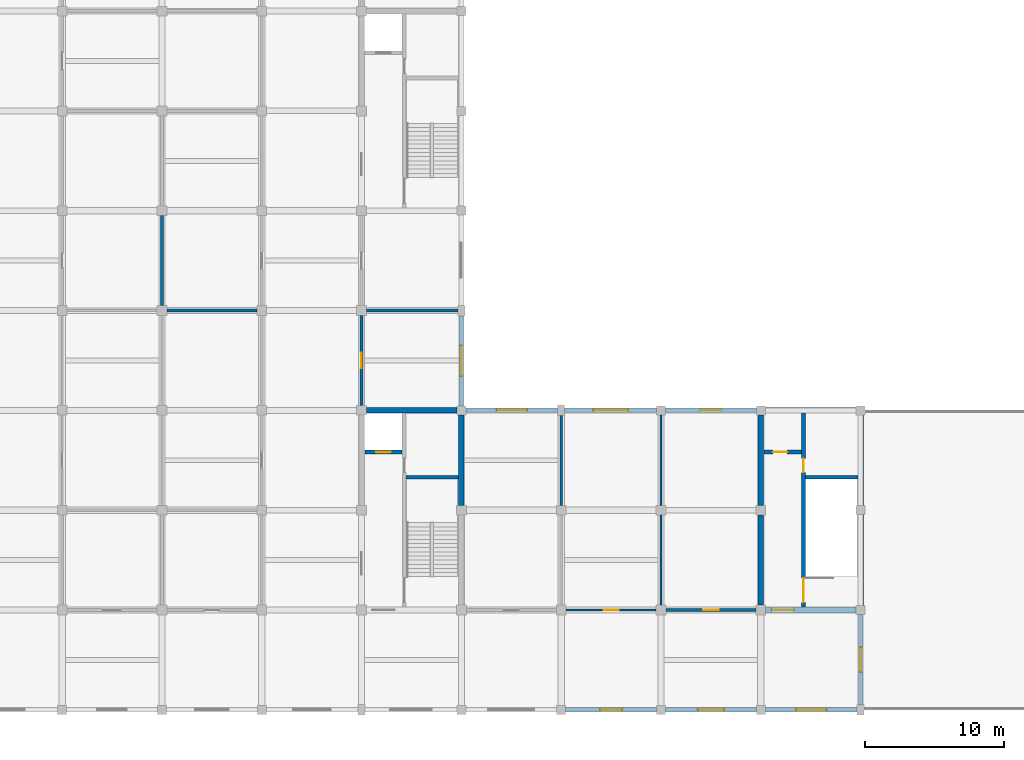
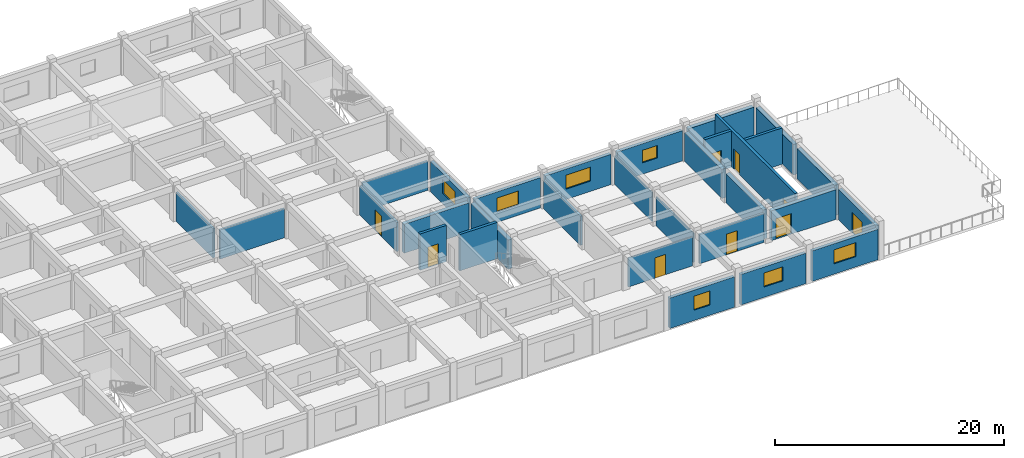
# One storey, part 7 of 10: 30 walls, 9 doors, 7 windows, 16 openings.
"""IFC4 building model written with IfcOpenShell, lengths in metres."""

from ifc_helpers import new_model, si_unit, direction, frame, frame_2d, origin, place, context, subcontext, project, spatial, rectangle, extrude, material, layer, layer_set, type_object, element, fill, save


model = new_model("IFC4")

# Units and contexts
model_context = context("Model", 3, precision=1e-05, world=origin(), true_north=direction((0.0, 1.0)))
body_context = subcontext(model_context, "Body", "Model", "MODEL_VIEW")
ifc_project = project(units=[si_unit("LENGTHUNIT", "METRE"), si_unit("AREAUNIT", "SQUARE_METRE"), si_unit("VOLUMEUNIT", "CUBIC_METRE"), si_unit("PLANEANGLEUNIT", "RADIAN"), si_unit("MASSUNIT", "GRAM", prefix="KILO")], contexts=[model_context])

# Site, building, storey
site_placement = place(None, origin())
site = spatial("IfcSite", under=ifc_project, at=site_placement, CompositionType="ELEMENT")
building_placement = place(site_placement, origin())
building = spatial("IfcBuilding", under=site, at=building_placement, Name="Cendaluz Park School", CompositionType="ELEMENT")
storey_placement = place(building_placement, frame((0.0, 0.0, 30.60009765625)))
storey = spatial("IfcBuildingStorey", under=building, at=storey_placement, Name="L07", CompositionType="ELEMENT", Elevation=30.60009765625)

# Wall
ifc_material_1 = material(Name="Gypsum Plasterboard on Cold-Formed Stud", Category="gypsum")
ifc_layer_1 = layer(ifc_material_1, 0.199951171875)
ifc_layer_set_1 = layer_set([ifc_layer_1], Name="Gypsum Plasterboard on Cold-Formed Stud")
wall_type_1 = type_object("IfcWallType", Name="W-AC20", PredefinedType="PARTITIONING", material=ifc_layer_set_1)
wall_1_placement = place(storey_placement, frame((115.199951171875, 21.949951171875, 0.0), z_axis=(0.0, 0.0, 1.0), x_axis=(0.0, 1.0, 0.0)))
element("IfcWall", 1, at=wall_1_placement, inside=storey, type_object=wall_type_1, Name="WL-FH-BO5", PredefinedType="PARTITIONING", context=body_context, shape_type="SweptSolid", body=[
    extrude(rectangle(XDim=6.47509765625, YDim=0.199951171875, at=frame_2d((3.237548828125, 0.0))), origin(), (0.0, 0.0, 1.0), 3.10986328125),
])

# Wall, opening, door
wall_2_placement = place(storey_placement, frame((122.75, 14.39990234375, 0.0), z_axis=(0.0, 0.0, 1.0), x_axis=(1.0, 0.0, 0.0)))
wall_2 = element("IfcWall", 2, at=wall_2_placement, inside=storey, type_object=wall_type_1, Name="WL-FH-BO9", PredefinedType="PARTITIONING", context=body_context, shape_type="SweptSolid", body=[
    extrude(rectangle(XDim=6.5, YDim=0.199951171875, at=frame_2d((3.25, 0.0))), origin(), (0.0, 0.0, 1.0), 3.10986328125),
])
opening_1_placement = place(wall_2_placement, frame((2.68994140625, 0.0, 0.0)))
opening_1 = element("IfcOpeningElement", 3, at=opening_1_placement, cuts=wall_2, Name="Opening DCL-06", PredefinedType="OPENING", context=body_context, shape_type="SweptSolid", body=[
    extrude(rectangle(XDim=1.1201171875, YDim=2.199951171875, at=frame_2d((0.56005859375, 1.10009765625))), frame((0.0, 0.112060546875, 0.0), z_axis=(0.0, -1.0, 0.0), x_axis=(1.0, 0.0, 0.0)), (0.0, 0.0, 1.0), 0.223876953125),
])
ifc_material_2 = material(Name="Solid Core Hardwood", Category="wood")
door_type_1 = type_object("IfcDoorType", Name="DCL-06", OperationType="NOTDEFINED", PredefinedType="DOOR", material=ifc_material_2)
door_1_placement = place(opening_1_placement, origin())
door_1 = element("IfcDoor", 4, at=door_1_placement, inside=storey, type_object=door_type_1, Name="D-L07-036", OperationType="SINGLE_SWING_LEFT", OverallHeight=2.199951171875, OverallWidth=1.1201171875, PredefinedType="DOOR", context=body_context, shape_type="SweptSolid", body=[
    extrude(rectangle(XDim=1.1201171875, YDim=2.199951171875, at=frame_2d((0.56005859375, 1.10009765625))), frame((0.0, 0.02490234375, 0.0), z_axis=(0.0, -1.0, 0.0), x_axis=(1.0, 0.0, 0.0)), (0.0, 0.0, 1.0), 0.050048828125),
])
fill(opening_1, door_1)

# Walls
for number, where, z_axis, x_axis, name in (
    (5, (86.39990234375, 36.35009765625, 0.0), (0.0, 0.0, 1.0), (0.0, 1.0, 0.0), "WL-FH-BQ4"),
    (6, (86.75, 36.0, 0.0), (0.0, 0.0, 1.0), (1.0, 0.0, 0.0), "WL-FH-BR1"),
):
    element("IfcWall", number, at=place(storey_placement, frame(where, z_axis=z_axis, x_axis=x_axis)), inside=storey, type_object=wall_type_1, Name=name, PredefinedType="PARTITIONING", context=body_context, shape_type="SweptSolid", body=[
        extrude(rectangle(XDim=6.5, YDim=0.199951171875, at=frame_2d((3.25, 0.0))), origin(), (0.0, 0.0, 1.0), 3.10986328125),
    ])
wall_3_placement = place(storey_placement, frame((101.14990234375, 36.0, 0.0), z_axis=(0.0, 0.0, 1.0), x_axis=(1.0, 0.0, 0.0)))
element("IfcWall", 7, at=wall_3_placement, inside=storey, type_object=wall_type_1, Name="WL-FH-BR5", PredefinedType="PARTITIONING", context=body_context, shape_type="SweptSolid", body=[
    extrude(rectangle(XDim=6.60009765625, YDim=0.199951171875, at=frame_2d((3.300048828125, 0.0))), origin(), (0.0, 0.0, 1.0), 3.10986328125),
])

# Wall, opening, door
wall_4_placement = place(storey_placement, frame((100.800048828125, 29.14990234375, 0.0), z_axis=(0.0, 0.0, 1.0), x_axis=(0.0, 1.0, 0.0)))
wall_4 = element("IfcWall", 8, at=wall_4_placement, inside=storey, type_object=wall_type_1, Name="WL-FH-BR6", PredefinedType="PARTITIONING", context=body_context, shape_type="SweptSolid", body=[
    extrude(rectangle(XDim=6.5, YDim=0.199951171875, at=frame_2d((3.25, 0.0))), origin(), (0.0, 0.0, 1.0), 3.10986328125),
])
opening_2_placement = place(wall_4_placement, frame((2.68994140625, 0.0, 0.0)))
opening_2 = element("IfcOpeningElement", 9, at=opening_2_placement, cuts=wall_4, Name="Opening DCL-06", PredefinedType="OPENING", context=body_context, shape_type="SweptSolid", body=[
    extrude(rectangle(XDim=1.1201171875, YDim=2.199951171875, at=frame_2d((0.56005859375, 1.10009765625))), frame((0.0, 0.112060546875, 0.0), z_axis=(0.0, -1.0, 0.0), x_axis=(1.0, 0.0, 0.0)), (0.0, 0.0, 1.0), 0.223876953125),
])
door_2_placement = place(opening_2_placement, frame((1.1201171875, 0.0, 0.0), z_axis=(0.0, 0.0, 1.0), x_axis=(-1.0, 0.0, 0.0)))
door_2 = element("IfcDoor", 10, at=door_2_placement, inside=storey, type_object=door_type_1, Name="D-L07-046", OperationType="SINGLE_SWING_LEFT", OverallHeight=2.199951171875, OverallWidth=1.1201171875, PredefinedType="DOOR", context=body_context, shape_type="SweptSolid", body=[
    extrude(rectangle(XDim=1.1201171875, YDim=2.199951171875, at=frame_2d((0.56005859375, 1.10009765625))), frame((0.0, 0.02490234375, 0.0), z_axis=(0.0, -1.0, 0.0), x_axis=(1.0, 0.0, 0.0)), (0.0, 0.0, 1.0), 0.050048828125),
])
fill(opening_2, door_2)

# Wall, opening, window
ifc_material_3 = material(Name="Concrete C40/50 precast", Category="concrete")
ifc_layer_2 = layer(ifc_material_3, 0.320068359375)
ifc_layer_set_2 = layer_set([ifc_layer_2], Name="Concrete C40/50 precast")
wall_type_2 = type_object("IfcWallType", Name="W-EX32", PredefinedType="SOLIDWALL", material=ifc_layer_set_2)
wall_5_placement = place(storey_placement, frame((108.0, 29.125, 0.0), z_axis=(0.0, 0.0, 1.0), x_axis=(0.0, 1.0, 0.0)))
wall_5 = element("IfcWall", 11, at=wall_5_placement, inside=storey, type_object=wall_type_2, Name="WL-FH-AC2", PredefinedType="SOLIDWALL", context=body_context, shape_type="SweptSolid", body=[
    extrude(rectangle(XDim=6.5, YDim=0.320068359375, at=frame_2d((3.25, 0.0))), origin(), (0.0, 0.0, 1.0), 3.25),
])
opening_3_placement = place(wall_5_placement, frame((2.14990234375, 0.0, 1.10009765625)))
opening_3 = element("IfcOpeningElement", 12, at=opening_3_placement, cuts=wall_5, Name="Opening WN-18", PredefinedType="OPENING", context=body_context, shape_type="SweptSolid", body=[
    extrude(rectangle(XDim=2.199951171875, YDim=1.5, at=frame_2d((1.10009765625, 0.75))), frame((0.0, 0.172119140625, 0.0), z_axis=(0.0, -1.0, 0.0), x_axis=(1.0, 0.0, 0.0)), (0.0, 0.0, 1.0), 0.343994140625),
])
ifc_material_4 = material(Name="Tempered Low-E Double Glazing", Category="glass")
window_type_1 = type_object("IfcWindowType", Name="WN-18", PartitioningType="SINGLE_PANEL", PredefinedType="WINDOW", material=ifc_material_4)
window_1_placement = place(opening_3_placement, origin())
window_1 = element("IfcWindow", 13, at=window_1_placement, inside=storey, type_object=window_type_1, Name="WN-L07-022", OverallHeight=1.5, OverallWidth=2.199951171875, PartitioningType="SINGLE_PANEL", PredefinedType="WINDOW", context=body_context, shape_type="SweptSolid", body=[
    extrude(rectangle(XDim=2.199951171875, YDim=1.5, at=frame_2d((1.10009765625, 0.75))), frame((0.0, 0.030029296875, 0.0), z_axis=(0.0, -1.0, 0.0), x_axis=(1.0, 0.0, 0.0)), (0.0, 0.0, 1.0), 0.06005859375),
])
fill(opening_3, window_1)

wall_6_placement = place(storey_placement, frame((108.324951171875, 28.800048828125, 0.0), z_axis=(0.0, 0.0, 1.0), x_axis=(1.0, 0.0, 0.0)))
wall_6 = element("IfcWall", 14, at=wall_6_placement, inside=storey, type_object=wall_type_2, Name="WL-FH-AC7", PredefinedType="SOLIDWALL", context=body_context, shape_type="SweptSolid", body=[
    extrude(rectangle(XDim=6.625, YDim=0.320068359375, at=frame_2d((3.3125, 0.0))), origin(), (0.0, 0.0, 1.0), 3.25),
])
opening_4_placement = place(wall_6_placement, frame((2.21240234375, 0.0, 1.10009765625)))
opening_4 = element("IfcOpeningElement", 15, at=opening_4_placement, cuts=wall_6, Name="Opening WN-18", PredefinedType="OPENING", context=body_context, shape_type="SweptSolid", body=[
    extrude(rectangle(XDim=2.199951171875, YDim=1.5, at=frame_2d((1.10009765625, 0.75))), frame((0.0, 0.172119140625, 0.0), z_axis=(0.0, -1.0, 0.0), x_axis=(1.0, 0.0, 0.0)), (0.0, 0.0, 1.0), 0.343994140625),
])
window_2_placement = place(opening_4_placement, origin())
window_2 = element("IfcWindow", 16, at=window_2_placement, inside=storey, type_object=window_type_1, Name="WN-L07-027", OverallHeight=1.5, OverallWidth=2.199951171875, PartitioningType="SINGLE_PANEL", PredefinedType="WINDOW", context=body_context, shape_type="SweptSolid", body=[
    extrude(rectangle(XDim=2.199951171875, YDim=1.5, at=frame_2d((1.10009765625, 0.75))), frame((0.0, 0.030029296875, 0.0), z_axis=(0.0, -1.0, 0.0), x_axis=(1.0, 0.0, 0.0)), (0.0, 0.0, 1.0), 0.06005859375),
])
fill(opening_4, window_2)

wall_7_placement = place(storey_placement, frame((115.52490234375, 7.199951171875, 0.0), z_axis=(0.0, 0.0, 1.0), x_axis=(1.0, 0.0, 0.0)))
wall_7 = element("IfcWall", 17, at=wall_7_placement, inside=storey, type_object=wall_type_2, Name="WL-FH-AC8", PredefinedType="SOLIDWALL", context=body_context, shape_type="SweptSolid", body=[
    extrude(rectangle(XDim=6.550048828125, YDim=0.320068359375, at=frame_2d((3.27490234375, 0.0))), origin(), (0.0, 0.0, 1.0), 3.25),
])
opening_5_placement = place(wall_7_placement, frame((2.47509765625, 0.0, 1.10009765625)))
opening_5 = element("IfcOpeningElement", 18, at=opening_5_placement, cuts=wall_7, Name="Opening WN-16", PredefinedType="OPENING", context=body_context, shape_type="SweptSolid", body=[
    extrude(rectangle(XDim=1.60009765625, YDim=1.5, at=frame_2d((0.800048828125, 0.75))), frame((0.0, 0.172119140625, 0.0), z_axis=(0.0, -1.0, 0.0), x_axis=(1.0, 0.0, 0.0)), (0.0, 0.0, 1.0), 0.343994140625),
])
window_type_2 = type_object("IfcWindowType", Name="WN-16", PartitioningType="SINGLE_PANEL", PredefinedType="WINDOW", material=ifc_material_4)
window_3_placement = place(opening_5_placement, origin())
window_3 = element("IfcWindow", 19, at=window_3_placement, inside=storey, type_object=window_type_2, Name="WN-L07-028", OverallHeight=1.5, OverallWidth=1.60009765625, PartitioningType="SINGLE_PANEL", PredefinedType="WINDOW", context=body_context, shape_type="SweptSolid", body=[
    extrude(rectangle(XDim=1.60009765625, YDim=1.5, at=frame_2d((0.800048828125, 0.75))), frame((0.0, 0.030029296875, 0.0), z_axis=(0.0, -1.0, 0.0), x_axis=(1.0, 0.0, 0.0)), (0.0, 0.0, 1.0), 0.06005859375),
])
fill(opening_5, window_3)

wall_8_placement = place(storey_placement, frame((115.449951171875, 28.800048828125, 0.0), z_axis=(0.0, 0.0, 1.0), x_axis=(1.0, 0.0, 0.0)))
wall_8 = element("IfcWall", 20, at=wall_8_placement, inside=storey, type_object=wall_type_2, Name="WL-FH-AC9", PredefinedType="SOLIDWALL", context=body_context, shape_type="SweptSolid", body=[
    extrude(rectangle(XDim=6.625, YDim=0.320068359375, at=frame_2d((3.3125, 0.0))), origin(), (0.0, 0.0, 1.0), 3.25),
])
opening_6_placement = place(wall_8_placement, frame((2.0625, 0.0, 1.10009765625)))
opening_6 = element("IfcOpeningElement", 21, at=opening_6_placement, cuts=wall_8, Name="Opening WN-19", PredefinedType="OPENING", context=body_context, shape_type="SweptSolid", body=[
    extrude(rectangle(XDim=2.5, YDim=1.5, at=frame_2d((1.25, 0.75))), frame((0.0, 0.172119140625, 0.0), z_axis=(0.0, -1.0, 0.0), x_axis=(1.0, 0.0, 0.0)), (0.0, 0.0, 1.0), 0.343994140625),
])
window_type_3 = type_object("IfcWindowType", Name="WN-19", PartitioningType="SINGLE_PANEL", PredefinedType="WINDOW", material=ifc_material_4)
window_4_placement = place(opening_6_placement, origin())
window_4 = element("IfcWindow", 22, at=window_4_placement, inside=storey, type_object=window_type_3, Name="WN-L07-029", OverallHeight=1.5, OverallWidth=2.5, PartitioningType="SINGLE_PANEL", PredefinedType="WINDOW", context=body_context, shape_type="SweptSolid", body=[
    extrude(rectangle(XDim=2.5, YDim=1.5, at=frame_2d((1.25, 0.75))), frame((0.0, 0.030029296875, 0.0), z_axis=(0.0, -1.0, 0.0), x_axis=(1.0, 0.0, 0.0)), (0.0, 0.0, 1.0), 0.06005859375),
])
fill(opening_6, window_4)

wall_9_placement = place(storey_placement, frame((122.72509765625, 7.199951171875, 0.0), z_axis=(0.0, 0.0, 1.0), x_axis=(1.0, 0.0, 0.0)))
wall_9 = element("IfcWall", 23, at=wall_9_placement, inside=storey, type_object=wall_type_2, Name="WL-FH-AD0", PredefinedType="SOLIDWALL", context=body_context, shape_type="SweptSolid", body=[
    extrude(rectangle(XDim=6.5498046875, YDim=0.320068359375, at=frame_2d((3.27490234375, 0.0))), origin(), (0.0, 0.0, 1.0), 3.25),
])
opening_7_placement = place(wall_9_placement, frame((2.324951171875, 0.0, 1.10009765625)))
opening_7 = element("IfcOpeningElement", 24, at=opening_7_placement, cuts=wall_9, Name="Opening WN-17", PredefinedType="OPENING", context=body_context, shape_type="SweptSolid", body=[
    extrude(rectangle(XDim=1.89990234375, YDim=1.5, at=frame_2d((0.949951171875, 0.75))), frame((0.0, 0.172119140625, 0.0), z_axis=(0.0, -1.0, 0.0), x_axis=(1.0, 0.0, 0.0)), (0.0, 0.0, 1.0), 0.343994140625),
])
window_type_4 = type_object("IfcWindowType", Name="WN-17", PartitioningType="SINGLE_PANEL", PredefinedType="WINDOW", material=ifc_material_4)
window_5_placement = place(opening_7_placement, origin())
window_5 = element("IfcWindow", 25, at=window_5_placement, inside=storey, type_object=window_type_4, Name="WN-L07-030", OverallHeight=1.5, OverallWidth=1.89990234375, PartitioningType="SINGLE_PANEL", PredefinedType="WINDOW", context=body_context, shape_type="SweptSolid", body=[
    extrude(rectangle(XDim=1.89990234375, YDim=1.5, at=frame_2d((0.949951171875, 0.75))), frame((0.0, 0.030029296875, 0.0), z_axis=(0.0, -1.0, 0.0), x_axis=(1.0, 0.0, 0.0)), (0.0, 0.0, 1.0), 0.06005859375),
])
fill(opening_7, window_5)

wall_10_placement = place(storey_placement, frame((122.72509765625, 28.800048828125, 0.0), z_axis=(0.0, 0.0, 1.0), x_axis=(1.0, 0.0, 0.0)))
wall_10 = element("IfcWall", 26, at=wall_10_placement, inside=storey, type_object=wall_type_2, Name="WL-FH-AD1", PredefinedType="SOLIDWALL", context=body_context, shape_type="SweptSolid", body=[
    extrude(rectangle(XDim=6.5498046875, YDim=0.320068359375, at=frame_2d((3.27490234375, 0.0))), origin(), (0.0, 0.0, 1.0), 3.25),
])
opening_8_placement = place(wall_10_placement, frame((2.52490234375, 0.0, 1.199951171875)))
opening_8 = element("IfcOpeningElement", 27, at=opening_8_placement, cuts=wall_10, Name="Opening WN-20", PredefinedType="OPENING", context=body_context, shape_type="SweptSolid", body=[
    extrude(rectangle(XDim=1.5, YDim=1.35009765625, at=frame_2d((0.75, 0.675048828125))), frame((0.0, 0.172119140625, 0.0), z_axis=(0.0, -1.0, 0.0), x_axis=(1.0, 0.0, 0.0)), (0.0, 0.0, 1.0), 0.343994140625),
])
window_type_5 = type_object("IfcWindowType", Name="WN-20", PartitioningType="SINGLE_PANEL", PredefinedType="WINDOW", material=ifc_material_4)
window_6_placement = place(opening_8_placement, origin())
window_6 = element("IfcWindow", 28, at=window_6_placement, inside=storey, type_object=window_type_5, Name="WN-L07-031", OverallHeight=1.35009765625, OverallWidth=1.5, PartitioningType="SINGLE_PANEL", PredefinedType="WINDOW", context=body_context, shape_type="SweptSolid", body=[
    extrude(rectangle(XDim=1.5, YDim=1.35009765625, at=frame_2d((0.75, 0.675048828125))), frame((0.0, 0.030029296875, 0.0), z_axis=(0.0, -1.0, 0.0), x_axis=(1.0, 0.0, 0.0)), (0.0, 0.0, 1.0), 0.06005859375),
])
fill(opening_8, window_6)

wall_11_placement = place(storey_placement, frame((129.925048828125, 7.199951171875, 0.0), z_axis=(0.0, 0.0, 1.0), x_axis=(1.0, 0.0, 0.0)))
wall_11 = element("IfcWall", 29, at=wall_11_placement, inside=storey, type_object=wall_type_2, Name="WL-FH-AD2", PredefinedType="SOLIDWALL", context=body_context, shape_type="SweptSolid", body=[
    extrude(rectangle(XDim=6.625, YDim=0.320068359375, at=frame_2d((3.3125, 0.0))), origin(), (0.0, 0.0, 1.0), 3.25),
])
opening_9_placement = place(wall_11_placement, frame((2.21240234375, 0.0, 1.10009765625)))
opening_9 = element("IfcOpeningElement", 30, at=opening_9_placement, cuts=wall_11, Name="Opening WN-18", PredefinedType="OPENING", context=body_context, shape_type="SweptSolid", body=[
    extrude(rectangle(XDim=2.199951171875, YDim=1.5, at=frame_2d((1.10009765625, 0.75))), frame((0.0, 0.172119140625, 0.0), z_axis=(0.0, -1.0, 0.0), x_axis=(1.0, 0.0, 0.0)), (0.0, 0.0, 1.0), 0.343994140625),
])
window_7_placement = place(opening_9_placement, origin())
window_7 = element("IfcWindow", 31, at=window_7_placement, inside=storey, type_object=window_type_1, Name="WN-L07-032", OverallHeight=1.5, OverallWidth=2.199951171875, PartitioningType="SINGLE_PANEL", PredefinedType="WINDOW", context=body_context, shape_type="SweptSolid", body=[
    extrude(rectangle(XDim=2.199951171875, YDim=1.5, at=frame_2d((1.10009765625, 0.75))), frame((0.0, 0.030029296875, 0.0), z_axis=(0.0, -1.0, 0.0), x_axis=(1.0, 0.0, 0.0)), (0.0, 0.0, 1.0), 0.06005859375),
])
fill(opening_9, window_7)

# Wall, opening, door
wall_12_placement = place(storey_placement, frame((136.800048828125, 7.574951171875, 0.0), z_axis=(0.0, 0.0, 1.0), x_axis=(0.0, 1.0, 0.0)))
wall_12 = element("IfcWall", 32, at=wall_12_placement, inside=storey, type_object=wall_type_2, Name="WL-FH-AD3", PredefinedType="SOLIDWALL", context=body_context, shape_type="SweptSolid", body=[
    extrude(rectangle(XDim=6.5, YDim=0.320068359375, at=frame_2d((3.25, 0.0))), origin(), (0.0, 0.0, 1.0), 3.25),
])
opening_10_placement = place(wall_12_placement, frame((2.35009765625, 0.0, 0.0)))
opening_10 = element("IfcOpeningElement", 33, at=opening_10_placement, cuts=wall_12, Name="Opening DPD-01", PredefinedType="OPENING", context=body_context, shape_type="SweptSolid", body=[
    extrude(rectangle(XDim=1.800048828125, YDim=2.199951171875, at=frame_2d((0.89990234375, 1.10009765625))), frame((0.0, 0.172119140625, 0.0), z_axis=(0.0, -1.0, 0.0), x_axis=(1.0, 0.0, 0.0)), (0.0, 0.0, 1.0), 0.343994140625),
])
ifc_material_5 = material(Name="Architectural Bronze")
door_type_2 = type_object("IfcDoorType", Name="DPD-01", OperationType="DOUBLE_DOOR_SINGLE_SWING", PredefinedType="DOOR", material=ifc_material_5)
door_3_placement = place(opening_10_placement, frame((1.800048828125, 0.0, 0.0), z_axis=(0.0, 0.0, 1.0), x_axis=(-1.0, 0.0, 0.0)))
door_3 = element("IfcDoor", 34, at=door_3_placement, inside=storey, type_object=door_type_2, Name="D-L07-002", OperationType="DOUBLE_DOOR_SINGLE_SWING", OverallHeight=2.199951171875, OverallWidth=1.800048828125, PredefinedType="DOOR", context=body_context, shape_type="SweptSolid", body=[
    extrude(rectangle(XDim=1.800048828125, YDim=2.199951171875, at=frame_2d((0.89990234375, 1.10009765625))), frame((0.0, 0.02490234375, 0.0), z_axis=(0.0, -1.0, 0.0), x_axis=(1.0, 0.0, 0.0)), (0.0, 0.0, 1.0), 0.050048828125),
])
fill(opening_10, door_3)

# Wall
ifc_material_6 = material(Name="Concrete C40/50", Category="concrete")
ifc_layer_3 = layer(ifc_material_6, 0.280029296875)
ifc_layer_set_3 = layer_set([ifc_layer_3], Name="Concrete C40/50")
wall_type_3 = type_object("IfcWallType", Name="W-FW28", PredefinedType="SHEAR", material=ifc_layer_set_3)
wall_13_placement = place(storey_placement, frame((104.02001953125, 23.97998046875, 0.0), z_axis=(0.0, 0.0, 1.0), x_axis=(1.0, 0.0, 0.0)))
element("IfcWall", 35, at=wall_13_placement, inside=storey, type_object=wall_type_3, Name="WL-FH-BJ0", PredefinedType="SHEAR", context=body_context, shape_type="SweptSolid", body=[
    extrude(rectangle(XDim=3.780029296875, YDim=0.280029296875, at=frame_2d((1.89013671875, 0.0))), origin(), (0.0, 0.0, 1.0), 3.8798828125),
])

# Wall, opening, door
wall_14_placement = place(storey_placement, frame((101.0400390625, 25.800048828125, 0.0), z_axis=(0.0, 0.0, 1.0), x_axis=(1.0, 0.0, 0.0)))
wall_14 = element("IfcWall", 36, at=wall_14_placement, inside=storey, type_object=wall_type_3, Name="WL-FH-BJ1", PredefinedType="SHEAR", context=body_context, shape_type="SweptSolid", body=[
    extrude(rectangle(XDim=2.679931640625, YDim=0.280029296875, at=frame_2d((1.33984375, 0.0))), origin(), (0.0, 0.0, 1.0), 3.8798828125),
])
opening_11_placement = place(wall_14_placement, frame((0.81494140625, 0.0, 0.0)))
opening_11 = element("IfcOpeningElement", 37, at=opening_11_placement, cuts=wall_14, Name="Opening LD-02", PredefinedType="OPENING", context=body_context, shape_type="SweptSolid", body=[
    extrude(rectangle(XDim=1.050048828125, YDim=2.199951171875, at=frame_2d((0.52490234375, 1.10009765625))), frame((0.0, 0.152099609375, 0.0), z_axis=(0.0, -1.0, 0.0), x_axis=(1.0, 0.0, 0.0)), (0.0, 0.0, 1.0), 0.303955078125),
])
ifc_material_7 = material(Name="Stainless Steel 316L", Category="steel")
door_type_3 = type_object("IfcDoorType", Name="LD-02", OperationType="DOUBLE_DOOR_SLIDING", PredefinedType="DOOR", material=ifc_material_7)
door_4_placement = place(opening_11_placement, frame((1.050048828125, 0.0, 0.0), z_axis=(0.0, 0.0, 1.0), x_axis=(-1.0, 0.0, 0.0)))
door_4 = element("IfcDoor", 38, at=door_4_placement, inside=storey, type_object=door_type_3, Name="D-L07-012", OperationType="DOUBLE_DOOR_SLIDING", OverallHeight=2.199951171875, OverallWidth=1.050048828125, PredefinedType="DOOR", context=body_context, shape_type="SweptSolid", body=[
    extrude(rectangle(XDim=1.050048828125, YDim=2.199951171875, at=frame_2d((0.52490234375, 1.10009765625))), frame((0.0, 0.02490234375, 0.0), z_axis=(0.0, -1.0, 0.0), x_axis=(1.0, 0.0, 0.0)), (0.0, 0.0, 1.0), 0.050048828125),
])
fill(opening_11, door_4)

# Wall, openings, doors
wall_15_placement = place(storey_placement, frame((132.679931640625, 14.60009765625, 0.0), z_axis=(0.0, 0.0, 1.0), x_axis=(0.0, 1.0, 0.0)))
wall_15 = element("IfcWall", 39, at=wall_15_placement, inside=storey, type_object=wall_type_3, Name="WL-FH-BM5", PredefinedType="SHEAR", context=body_context, shape_type="SweptSolid", body=[
    extrude(rectangle(XDim=14.0, YDim=0.280029296875, at=frame_2d((7.0, 0.0))), origin(), (0.0, 0.0, 1.0), 3.8798828125),
])
opening_12_placement = place(wall_15_placement, frame((0.35009765625, 0.0, 0.0)))
opening_12 = element("IfcOpeningElement", 40, at=opening_12_placement, cuts=wall_15, Name="Opening DST-03", PredefinedType="OPENING", context=body_context, shape_type="SweptSolid", body=[
    extrude(rectangle(XDim=1.75, YDim=2.14990234375, at=frame_2d((0.875, 1.074951171875))), frame((0.0, 0.152099609375, 0.0), z_axis=(0.0, -1.0, 0.0), x_axis=(1.0, 0.0, 0.0)), (0.0, 0.0, 1.0), 0.303955078125),
])
opening_13_placement = place(wall_15_placement, frame((9.719970703125, 0.0, 0.0)))
opening_13 = element("IfcOpeningElement", 41, at=opening_13_placement, cuts=wall_15, Name="Opening DFC-01", PredefinedType="OPENING", context=body_context, shape_type="SweptSolid", body=[
    extrude(rectangle(XDim=1.0, YDim=2.14990234375, at=frame_2d((0.5, 1.074951171875))), frame((0.0, 0.152099609375, 0.0), z_axis=(0.0, -1.0, 0.0), x_axis=(1.0, 0.0, 0.0)), (0.0, 0.0, 1.0), 0.303955078125),
])
door_type_4 = type_object("IfcDoorType", Name="DFC-01", OperationType="NOTDEFINED", PredefinedType="DOOR", material=ifc_material_2)
door_5_placement = place(opening_13_placement, frame((1.0, 0.0, 0.0), z_axis=(0.0, 0.0, 1.0), x_axis=(-1.0, 0.0, 0.0)))
door_5 = element("IfcDoor", 42, at=door_5_placement, inside=storey, type_object=door_type_4, Name="D-L07-027", OperationType="SINGLE_SWING_LEFT", OverallHeight=2.14990234375, OverallWidth=1.0, PredefinedType="DOOR", context=body_context, shape_type="SweptSolid", body=[
    extrude(rectangle(XDim=1.0, YDim=2.14990234375, at=frame_2d((0.5, 1.074951171875))), frame((0.0, 0.02490234375, 0.0), z_axis=(0.0, -1.0, 0.0), x_axis=(1.0, 0.0, 0.0)), (0.0, 0.0, 1.0), 0.050048828125),
])
fill(opening_13, door_5)
door_type_5 = type_object("IfcDoorType", Name="DST-03", OperationType="DOUBLE_DOOR_SINGLE_SWING", PredefinedType="DOOR", material=ifc_material_2)
door_6_placement = place(opening_12_placement, frame((1.75, 0.0, 0.0), z_axis=(0.0, 0.0, 1.0), x_axis=(-1.0, 0.0, 0.0)))
door_6 = element("IfcDoor", 43, at=door_6_placement, inside=storey, type_object=door_type_5, Name="D-L07-026", OperationType="DOUBLE_DOOR_SINGLE_SWING", OverallHeight=2.14990234375, OverallWidth=1.75, PredefinedType="DOOR", context=body_context, shape_type="SweptSolid", body=[
    extrude(rectangle(XDim=1.75, YDim=2.14990234375, at=frame_2d((0.875, 1.074951171875))), frame((0.0, 0.02490234375, 0.0), z_axis=(0.0, -1.0, 0.0), x_axis=(1.0, 0.0, 0.0)), (0.0, 0.0, 1.0), 0.050048828125),
])
fill(opening_12, door_6)

# Wall
wall_16_placement = place(storey_placement, frame((132.820068359375, 23.97998046875, 0.0), z_axis=(0.0, 0.0, 1.0), x_axis=(1.0, 0.0, 0.0)))
element("IfcWall", 44, at=wall_16_placement, inside=storey, type_object=wall_type_3, Name="WL-FH-BM6", PredefinedType="SHEAR", context=body_context, shape_type="SweptSolid", body=[
    extrude(rectangle(XDim=3.780029296875, YDim=0.280029296875, at=frame_2d((1.89013671875, 0.0))), origin(), (0.0, 0.0, 1.0), 3.8798828125),
])

# Wall, opening, door
wall_17_placement = place(storey_placement, frame((129.840087890625, 25.800048828125, 0.0), z_axis=(0.0, 0.0, 1.0), x_axis=(1.0, 0.0, 0.0)))
wall_17 = element("IfcWall", 45, at=wall_17_placement, inside=storey, type_object=wall_type_3, Name="WL-FH-BM7", PredefinedType="SHEAR", context=body_context, shape_type="SweptSolid", body=[
    extrude(rectangle(XDim=2.679931640625, YDim=0.280029296875, at=frame_2d((1.33984375, 0.0))), origin(), (0.0, 0.0, 1.0), 3.8798828125),
])
opening_14_placement = place(wall_17_placement, frame((0.64990234375, 0.0, 0.0)))
opening_14 = element("IfcOpeningElement", 46, at=opening_14_placement, cuts=wall_17, Name="Opening DFC-01", PredefinedType="OPENING", context=body_context, shape_type="SweptSolid", body=[
    extrude(rectangle(XDim=1.0, YDim=2.14990234375, at=frame_2d((0.5, 1.074951171875))), frame((0.0, 0.152099609375, 0.0), z_axis=(0.0, -1.0, 0.0), x_axis=(1.0, 0.0, 0.0)), (0.0, 0.0, 1.0), 0.303955078125),
])
door_7_placement = place(opening_14_placement, frame((1.0, 0.0, 0.0), z_axis=(0.0, 0.0, 1.0), x_axis=(-1.0, 0.0, 0.0)))
door_7 = element("IfcDoor", 47, at=door_7_placement, inside=storey, type_object=door_type_4, Name="D-L07-028", OperationType="SINGLE_SWING_RIGHT", OverallHeight=2.14990234375, OverallWidth=1.0, PredefinedType="DOOR", context=body_context, shape_type="SweptSolid", body=[
    extrude(rectangle(XDim=1.0, YDim=2.14990234375, at=frame_2d((0.5, 1.074951171875))), frame((0.0, 0.02490234375, 0.0), z_axis=(0.0, -1.0, 0.0), x_axis=(1.0, 0.0, 0.0)), (0.0, 0.0, 1.0), 0.050048828125),
])
fill(opening_14, door_7)

ifc_layer_4 = layer(ifc_material_1, 0.1201171875)
ifc_layer_set_4 = layer_set([ifc_layer_4], Name="Gypsum Plasterboard on Cold-Formed Stud")
wall_type_4 = type_object("IfcWallType", Name="W-MV12", PredefinedType="MOVABLE", material=ifc_layer_set_4)
wall_18_placement = place(storey_placement, frame((115.550048828125, 14.39990234375, 0.0), z_axis=(0.0, 0.0, 1.0), x_axis=(1.0, 0.0, 0.0)))
wall_18 = element("IfcWall", 48, at=wall_18_placement, inside=storey, type_object=wall_type_4, Name="WL-FH-BO6", PredefinedType="MOVABLE", context=body_context, shape_type="SweptSolid", body=[
    extrude(rectangle(XDim=6.5, YDim=0.1201171875, at=frame_2d((3.25, 0.0))), origin(), (0.0, 0.0, 1.0), 3.10986328125),
])
opening_15_placement = place(wall_18_placement, frame((2.7099609375, 0.0, 0.0)))
opening_15 = element("IfcOpeningElement", 49, at=opening_15_placement, cuts=wall_18, Name="Opening DCL-05", PredefinedType="OPENING", context=body_context, shape_type="SweptSolid", body=[
    extrude(rectangle(XDim=1.080078125, YDim=2.179931640625, at=frame_2d((0.5400390625, 1.08984375))), frame((0.0, 0.072021484375, 0.0), z_axis=(0.0, -1.0, 0.0), x_axis=(1.0, 0.0, 0.0)), (0.0, 0.0, 1.0), 0.14404296875),
])
door_type_6 = type_object("IfcDoorType", Name="DCL-05", OperationType="NOTDEFINED", PredefinedType="DOOR", material=ifc_material_2)
door_8_placement = place(opening_15_placement, origin())
door_8 = element("IfcDoor", 50, at=door_8_placement, inside=storey, type_object=door_type_6, Name="D-L07-035", OperationType="SINGLE_SWING_RIGHT", OverallHeight=2.179931640625, OverallWidth=1.080078125, PredefinedType="DOOR", context=body_context, shape_type="SweptSolid", body=[
    extrude(rectangle(XDim=1.080078125, YDim=2.179931640625, at=frame_2d((0.5400390625, 1.08984375))), frame((0.0, 0.02490234375, 0.0), z_axis=(0.0, -1.0, 0.0), x_axis=(1.0, 0.0, 0.0)), (0.0, 0.0, 1.0), 0.050048828125),
])
fill(opening_15, door_8)

# Walls
wall_19_placement = place(storey_placement, frame((122.39990234375, 14.75, 0.0), z_axis=(0.0, 0.0, 1.0), x_axis=(0.0, 1.0, 0.0)))
element("IfcWall", 51, at=wall_19_placement, inside=storey, type_object=wall_type_4, Name="WL-FH-BO7", PredefinedType="MOVABLE", context=body_context, shape_type="SweptSolid", body=[
    extrude(rectangle(XDim=6.5, YDim=0.1201171875, at=frame_2d((3.25, 0.0))), origin(), (0.0, 0.0, 1.0), 3.10986328125),
])
wall_20_placement = place(storey_placement, frame((122.39990234375, 21.949951171875, 0.0), z_axis=(0.0, 0.0, 1.0), x_axis=(0.0, 1.0, 0.0)))
element("IfcWall", 52, at=wall_20_placement, inside=storey, type_object=wall_type_4, Name="WL-FH-BO8", PredefinedType="MOVABLE", context=body_context, shape_type="SweptSolid", body=[
    extrude(rectangle(XDim=6.525146484375, YDim=0.1201171875, at=frame_2d((3.2626953125, 0.0))), origin(), (0.0, 0.0, 1.0), 3.10986328125),
])
ifc_layer_5 = layer(ifc_material_6, 0.39990234375)
ifc_layer_set_5 = layer_set([ifc_layer_5], Name="Concrete C40/50")
wall_type_5 = type_object("IfcWallType", Name="W-SH40", PredefinedType="SHEAR", material=ifc_layer_set_5)
for number, where, z_axis, x_axis, name in (
    (53, (108.0, 21.949951171875, 0.0), (0.0, 0.0, 1.0), (0.0, 1.0, 0.0), "WL-FH-BI6"),
    (54, (101.14990234375, 28.800048828125, 0.0), (0.0, 0.0, 1.0), (1.0, 0.0, 0.0), "WL-FH-BI8"),
):
    element("IfcWall", number, at=place(storey_placement, frame(where, z_axis=z_axis, x_axis=x_axis)), inside=storey, type_object=wall_type_5, Name=name, PredefinedType="SHEAR", context=body_context, shape_type="SweptSolid", body=[
        extrude(rectangle(XDim=6.525146484375, YDim=0.39990234375, at=frame_2d((3.2626953125, 0.0))), origin(), (0.0, 0.0, 1.0), 3.10986328125),
    ])
wall_21_placement = place(storey_placement, frame((129.60009765625, 14.75, 0.0), z_axis=(0.0, 0.0, 1.0), x_axis=(0.0, 1.0, 0.0)))
element("IfcWall", 55, at=wall_21_placement, inside=storey, type_object=wall_type_5, Name="WL-FH-BL9", PredefinedType="SHEAR", context=body_context, shape_type="SweptSolid", body=[
    extrude(rectangle(XDim=6.5, YDim=0.39990234375, at=frame_2d((3.25, 0.0))), origin(), (0.0, 0.0, 1.0), 3.10986328125),
])
wall_22_placement = place(storey_placement, frame((129.60009765625, 21.949951171875, 0.0), z_axis=(0.0, 0.0, 1.0), x_axis=(0.0, 1.0, 0.0)))
element("IfcWall", 56, at=wall_22_placement, inside=storey, type_object=wall_type_5, Name="WL-FH-BM0", PredefinedType="SHEAR", context=body_context, shape_type="SweptSolid", body=[
    extrude(rectangle(XDim=6.525146484375, YDim=0.39990234375, at=frame_2d((3.2626953125, 0.0))), origin(), (0.0, 0.0, 1.0), 3.10986328125),
])
wall_23_placement = place(storey_placement, frame((136.800048828125, 14.72509765625, 0.0), z_axis=(0.0, 0.0, 1.0), x_axis=(0.0, 1.0, 0.0)))
element("IfcWall", 57, at=wall_23_placement, inside=storey, type_object=wall_type_5, Name="WL-FH-BM1", PredefinedType="SHEAR", context=body_context, shape_type="SweptSolid", body=[
    extrude(rectangle(XDim=6.5498046875, YDim=0.39990234375, at=frame_2d((3.27490234375, 0.0))), origin(), (0.0, 0.0, 1.0), 3.25),
])
wall_24_placement = place(storey_placement, frame((136.800048828125, 21.925048828125, 0.0), z_axis=(0.0, 0.0, 1.0), x_axis=(0.0, 1.0, 0.0)))
element("IfcWall", 58, at=wall_24_placement, inside=storey, type_object=wall_type_5, Name="WL-FH-BM2", PredefinedType="SHEAR", context=body_context, shape_type="SweptSolid", body=[
    extrude(rectangle(XDim=6.550048828125, YDim=0.39990234375, at=frame_2d((3.27490234375, 0.0))), origin(), (0.0, 0.0, 1.0), 3.25),
])

# Wall, opening, door
wall_25_placement = place(storey_placement, frame((129.949951171875, 14.39990234375, 0.0), z_axis=(0.0, 0.0, 1.0), x_axis=(1.0, 0.0, 0.0)))
wall_25 = element("IfcWall", 59, at=wall_25_placement, inside=storey, type_object=wall_type_5, Name="WL-FH-BM3", PredefinedType="SHEAR", context=body_context, shape_type="SweptSolid", body=[
    extrude(rectangle(XDim=6.525146484375, YDim=0.39990234375, at=frame_2d((3.2626953125, 0.0))), origin(), (0.0, 0.0, 1.0), 3.179931640625),
])
opening_16_placement = place(wall_25_placement, frame((0.429931640625, 0.0, 0.0)))
opening_16 = element("IfcOpeningElement", 60, at=opening_16_placement, cuts=wall_25, Name="Opening DLB-01", PredefinedType="OPENING", context=body_context, shape_type="SweptSolid", body=[
    extrude(rectangle(XDim=1.60009765625, YDim=2.199951171875, at=frame_2d((0.800048828125, 1.10009765625))), frame((0.0, 0.2119140625, 0.0), z_axis=(0.0, -1.0, 0.0), x_axis=(1.0, 0.0, 0.0)), (0.0, 0.0, 1.0), 0.423828125),
])
door_type_7 = type_object("IfcDoorType", Name="DLB-01", OperationType="DOUBLE_DOOR_SINGLE_SWING", PredefinedType="DOOR", material=ifc_material_2)
door_9_placement = place(opening_16_placement, origin())
door_9 = element("IfcDoor", 61, at=door_9_placement, inside=storey, type_object=door_type_7, Name="D-L07-025", OperationType="DOUBLE_DOOR_SINGLE_SWING", OverallHeight=2.199951171875, OverallWidth=1.60009765625, PredefinedType="DOOR", context=body_context, shape_type="SweptSolid", body=[
    extrude(rectangle(XDim=1.60009765625, YDim=2.199951171875, at=frame_2d((0.800048828125, 1.10009765625))), frame((0.0, 0.02490234375, 0.0), z_axis=(0.0, -1.0, 0.0), x_axis=(1.0, 0.0, 0.0)), (0.0, 0.0, 1.0), 0.050048828125),
])
fill(opening_16, door_9)

# Wall
wall_26_placement = place(storey_placement, frame((129.925048828125, 28.800048828125, 0.0), z_axis=(0.0, 0.0, 1.0), x_axis=(1.0, 0.0, 0.0)))
element("IfcWall", 62, at=wall_26_placement, inside=storey, type_object=wall_type_5, Name="WL-FH-BM4", PredefinedType="SHEAR", context=body_context, shape_type="SweptSolid", body=[
    extrude(rectangle(XDim=6.550048828125, YDim=0.39990234375, at=frame_2d((3.27490234375, 0.0))), origin(), (0.0, 0.0, 1.0), 3.25),
])

save(model, "model.ifc")
